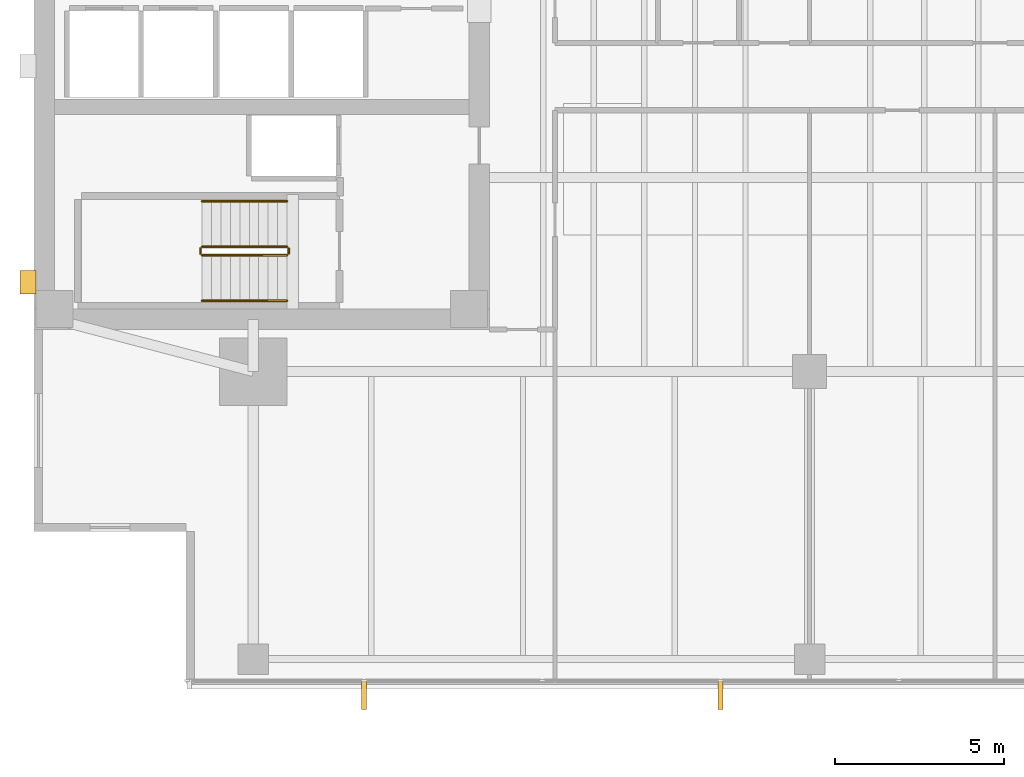
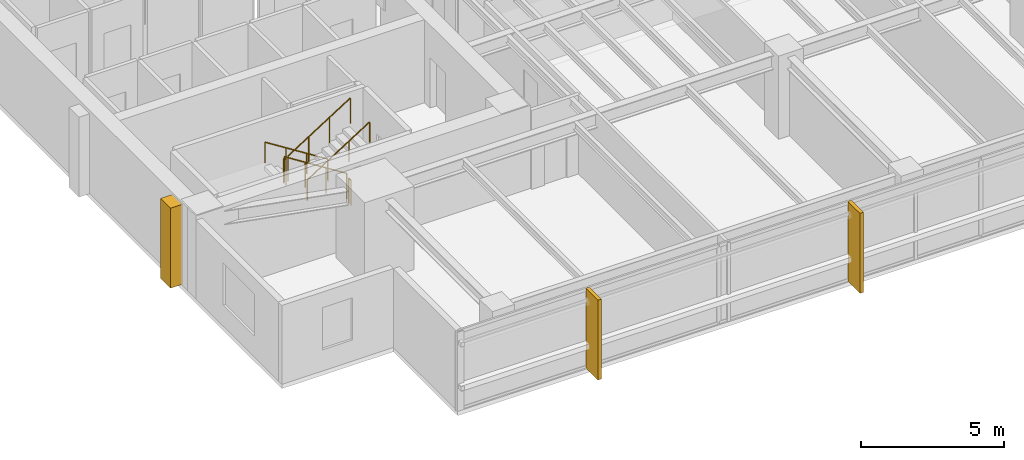
# One storey, part 11 of 15: 6 railings, 3 coverings.
"""IFC4 building model written with IfcOpenShell, lengths in metres."""

from ifc_helpers import new_model, si_unit, direction, frame, origin, origin_2d, place, context, subcontext, project, spatial, polyline, circle, outline, extrude, material, layer, layer_set, type_object, element, save


model = new_model("IFC4")

# Units and contexts
model_context = context("Model", 3, precision=1e-05, world=origin(), true_north=direction((0.0, 1.0)))
body_context = subcontext(model_context, "Body", "Model", "MODEL_VIEW")
ifc_project = project(units=[si_unit("LENGTHUNIT", "METRE"), si_unit("AREAUNIT", "SQUARE_METRE"), si_unit("VOLUMEUNIT", "CUBIC_METRE"), si_unit("PLANEANGLEUNIT", "RADIAN"), si_unit("MASSUNIT", "GRAM", prefix="KILO")], contexts=[model_context])

# Site, building, storey
site_placement = place(None, origin())
site = spatial("IfcSite", under=ifc_project, at=site_placement, CompositionType="ELEMENT")
building_placement = place(site_placement, origin())
building = spatial("IfcBuilding", under=site, at=building_placement, Name="Kinhvarn Gate Tower", CompositionType="ELEMENT")
storey_placement = place(building_placement, frame((0.0, 0.0, 109.35009765625)))
storey = spatial("IfcBuildingStorey", under=building, at=storey_placement, Name="L28", CompositionType="ELEMENT", Elevation=109.35009765625)

# Coverings
ifc_material_1 = material(Name="Fired architectural terracotta", Category="masonry")
ifc_layer_1 = layer(ifc_material_1, 0.139892578125)
ifc_layer_set_1 = layer_set([ifc_layer_1], Name="Fired architectural terracotta")
covering_type_1 = type_object("IfcCoveringType", Name="COV-FIN-850", PredefinedType="CLADDING", material=ifc_layer_set_1)
covering_1_placement = place(storey_placement, frame((0.0, 0.0, -0.02001953125)))
element("IfcCovering", 1, at=covering_1_placement, inside=storey, type_object=covering_type_1, Name="Vertical Terracotta Expressive Fin TFN-850 (L28)", PredefinedType="CLADDING", context=body_context, shape_type="SweptSolid", body=[
    extrude(outline(polyline([(14.2158203125, 3.580078125), (14.355712890625, 3.580078125), (14.355712890625, 2.72998046875), (14.2158203125, 2.72998046875), (14.2158203125, 3.580078125)])), origin(), (0.0, 0.0, 1.0), 3.409912109375),
])
covering_2_placement = place(storey_placement, frame((0.0, 0.0, -0.02001953125)))
element("IfcCovering", 2, at=covering_2_placement, inside=storey, type_object=covering_type_1, Name="Vertical Terracotta Expressive Fin TFN-850 (L28)", PredefinedType="CLADDING", context=body_context, shape_type="SweptSolid", body=[
    extrude(outline(polyline([(24.787109375, 3.580078125), (24.927001953125, 3.580078125), (24.927001953125, 2.72998046875), (24.787109375, 2.72998046875), (24.787109375, 3.580078125)])), origin(), (0.0, 0.0, 1.0), 3.409912109375),
])
ifc_material_2 = material(Name="Precast white architectural concrete C40/50", Category="concrete")
ifc_layer_2 = layer(ifc_material_2, 0.47998046875)
ifc_layer_set_2 = layer_set([ifc_layer_2], Name="Precast white architectural concrete C40/50")
covering_type_2 = type_object("IfcCoveringType", Name="COV-RIB-450", PredefinedType="CLADDING", material=ifc_layer_set_2)
covering_3_placement = place(storey_placement, frame((0.0, 0.0, -0.02001953125)))
element("IfcCovering", 3, at=covering_3_placement, inside=storey, type_object=covering_type_2, Name="West Core Sculptural Concrete Relief Rib CRB-450 (L28)", PredefinedType="CLADDING", context=body_context, shape_type="SweptSolid", body=[
    extrude(outline(polyline([(4.080078125, 15.050048828125), (4.56005859375, 15.050048828125), (4.56005859375, 15.75), (4.080078125, 15.75), (4.080078125, 15.050048828125)])), origin(), (0.0, 0.0, 1.0), 3.409912109375),
])

# Railings
ifc_material_3 = material(Name="Steel S355", Category="steel")
railing_type_1 = type_object("IfcRailingType", Name="RL-ST-GRD", PredefinedType="BALUSTRADE", material=ifc_material_3)
railing_1_placement = place(storey_placement, frame((12.0, 16.449951171875, 0.177490234375)))
element("IfcRailing", 4, at=railing_1_placement, inside=storey, type_object=railing_type_1, Name="L28 ST1 stair guard 1", PredefinedType="BALUSTRADE", context=body_context, shape_type="SweptSolid", body=[
    extrude(circle(Radius=0.02392578125, at=origin_2d()), frame((0.0, 0.0, 1.076171875), z_axis=(-0.84460694969, 0.0, 0.535386869969), x_axis=(0.0, -1.0, 0.0)), (0.0, 0.0, 1.0), 2.983642578125),
    extrude(circle(Radius=0.02099609375, at=origin_2d()), origin(), (0.0, 0.0, 1.0), 1.052001953125),
    extrude(circle(Radius=0.02099609375, at=origin_2d()), frame((-0.840087890625, 0.0, 0.532470703125)), (0.0, 0.0, 1.0), 1.052001953125),
    extrude(circle(Radius=0.02099609375, at=origin_2d()), frame((-1.679931640625, 0.0, 1.06494140625)), (0.0, 0.0, 1.0), 1.052001953125),
    extrude(circle(Radius=0.02099609375, at=origin_2d()), frame((-2.52001953125, 0.0, 1.597412109375)), (0.0, 0.0, 1.0), 1.052001953125),
])
railing_2_placement = place(storey_placement, frame((9.429931640625, 16.39990234375, 1.77490234375)))
element("IfcRailing", 5, at=railing_2_placement, inside=storey, type_object=railing_type_1, Name="L28 ST1 stair guard 2", PredefinedType="BALUSTRADE", context=body_context, shape_type="SweptSolid", body=[
    extrude(circle(Radius=0.02392578125, at=origin_2d()), frame((0.0, 0.0, 1.076171875), z_axis=(0.0, -1.0, 0.0), x_axis=(1.0, 0.0, 0.0)), (0.0, 0.0, 1.0), 0.14990234375),
    extrude(circle(Radius=0.02099609375, at=origin_2d()), origin(), (0.0, 0.0, 1.0), 1.052001953125),
    extrude(circle(Radius=0.02099609375, at=origin_2d()), frame((0.0, -0.14990234375, 0.0)), (0.0, 0.0, 1.0), 1.052001953125),
])
railing_3_placement = place(storey_placement, frame((9.47998046875, 16.199951171875, 1.952392578125)))
element("IfcRailing", 6, at=railing_3_placement, inside=storey, type_object=railing_type_1, Name="L28 ST1 stair guard 3", PredefinedType="BALUSTRADE", context=body_context, shape_type="SweptSolid", body=[
    extrude(circle(Radius=0.02392578125, at=origin_2d()), frame((0.0, 0.0, 1.076171875), z_axis=(0.84460694969, 0.0, 0.535386869969), x_axis=(0.0, 1.0, 0.0)), (0.0, 0.0, 1.0), 2.983642578125),
    extrude(circle(Radius=0.02099609375, at=origin_2d()), origin(), (0.0, 0.0, 1.0), 1.052001953125),
    extrude(circle(Radius=0.02099609375, at=origin_2d()), frame((0.840087890625, 0.0, 0.532470703125)), (0.0, 0.0, 1.0), 1.052001953125),
    extrude(circle(Radius=0.02099609375, at=origin_2d()), frame((1.679931640625, 0.0, 1.06494140625)), (0.0, 0.0, 1.0), 1.052001953125),
    extrude(circle(Radius=0.02099609375, at=origin_2d()), frame((2.52001953125, 0.0, 1.597412109375)), (0.0, 0.0, 1.0), 1.052001953125),
])
railing_4_placement = place(storey_placement, frame((12.050048828125, 16.39990234375, 0.0)))
element("IfcRailing", 7, at=railing_4_placement, inside=storey, type_object=railing_type_1, Name="L28 ST1 stair guard 4", PredefinedType="BALUSTRADE", context=body_context, shape_type="SweptSolid", body=[
    extrude(circle(Radius=0.02392578125, at=origin_2d()), frame((0.0, 0.0, 1.076171875), z_axis=(0.0, -1.0, 0.0), x_axis=(1.0, 0.0, 0.0)), (0.0, 0.0, 1.0), 0.14990234375),
    extrude(circle(Radius=0.02099609375, at=origin_2d()), origin(), (0.0, 0.0, 1.0), 1.052001953125),
    extrude(circle(Radius=0.02099609375, at=origin_2d()), frame((0.0, -0.14990234375, 0.0)), (0.0, 0.0, 1.0), 1.052001953125),
])
railing_type_2 = type_object("IfcRailingType", Name="RL-ST-HND", PredefinedType="HANDRAIL", material=ifc_material_3)
railing_5_placement = place(storey_placement, frame((12.0, 17.800048828125, 0.177490234375)))
element("IfcRailing", 8, at=railing_5_placement, inside=storey, type_object=railing_type_2, Name="L28 ST1 stair handrail 1", PredefinedType="HANDRAIL", context=body_context, shape_type="SweptSolid", body=[
    extrude(circle(Radius=0.02392578125, at=origin_2d()), frame((0.0, 0.0, 0.8759765625), z_axis=(-0.84460694969, 0.0, 0.535386869969), x_axis=(0.0, -1.0, 0.0)), (0.0, 0.0, 1.0), 2.983642578125),
    extrude(circle(Radius=0.02099609375, at=origin_2d()), origin(), (0.0, 0.0, 1.0), 0.851806640625),
    extrude(circle(Radius=0.02099609375, at=origin_2d()), frame((-0.840087890625, 0.0, 0.532470703125)), (0.0, 0.0, 1.0), 0.851806640625),
    extrude(circle(Radius=0.02099609375, at=origin_2d()), frame((-1.679931640625, 0.0, 1.06494140625)), (0.0, 0.0, 1.0), 0.851806640625),
    extrude(circle(Radius=0.02099609375, at=origin_2d()), frame((-2.52001953125, 0.0, 1.597412109375)), (0.0, 0.0, 1.0), 0.851806640625),
])
railing_6_placement = place(storey_placement, frame((9.47998046875, 14.85009765625, 1.952392578125)))
element("IfcRailing", 9, at=railing_6_placement, inside=storey, type_object=railing_type_2, Name="L28 ST1 stair handrail 2", PredefinedType="HANDRAIL", context=body_context, shape_type="SweptSolid", body=[
    extrude(circle(Radius=0.02392578125, at=origin_2d()), frame((0.0, 0.0, 0.8759765625), z_axis=(0.84460694969, 0.0, 0.535386869969), x_axis=(0.0, 1.0, 0.0)), (0.0, 0.0, 1.0), 2.983642578125),
    extrude(circle(Radius=0.02099609375, at=origin_2d()), origin(), (0.0, 0.0, 1.0), 0.851806640625),
    extrude(circle(Radius=0.02099609375, at=origin_2d()), frame((0.840087890625, 0.0, 0.532470703125)), (0.0, 0.0, 1.0), 0.851806640625),
    extrude(circle(Radius=0.02099609375, at=origin_2d()), frame((1.679931640625, 0.0, 1.06494140625)), (0.0, 0.0, 1.0), 0.851806640625),
    extrude(circle(Radius=0.02099609375, at=origin_2d()), frame((2.52001953125, 0.0, 1.597412109375)), (0.0, 0.0, 1.0), 0.851806640625),
])

save(model, "model.ifc")
